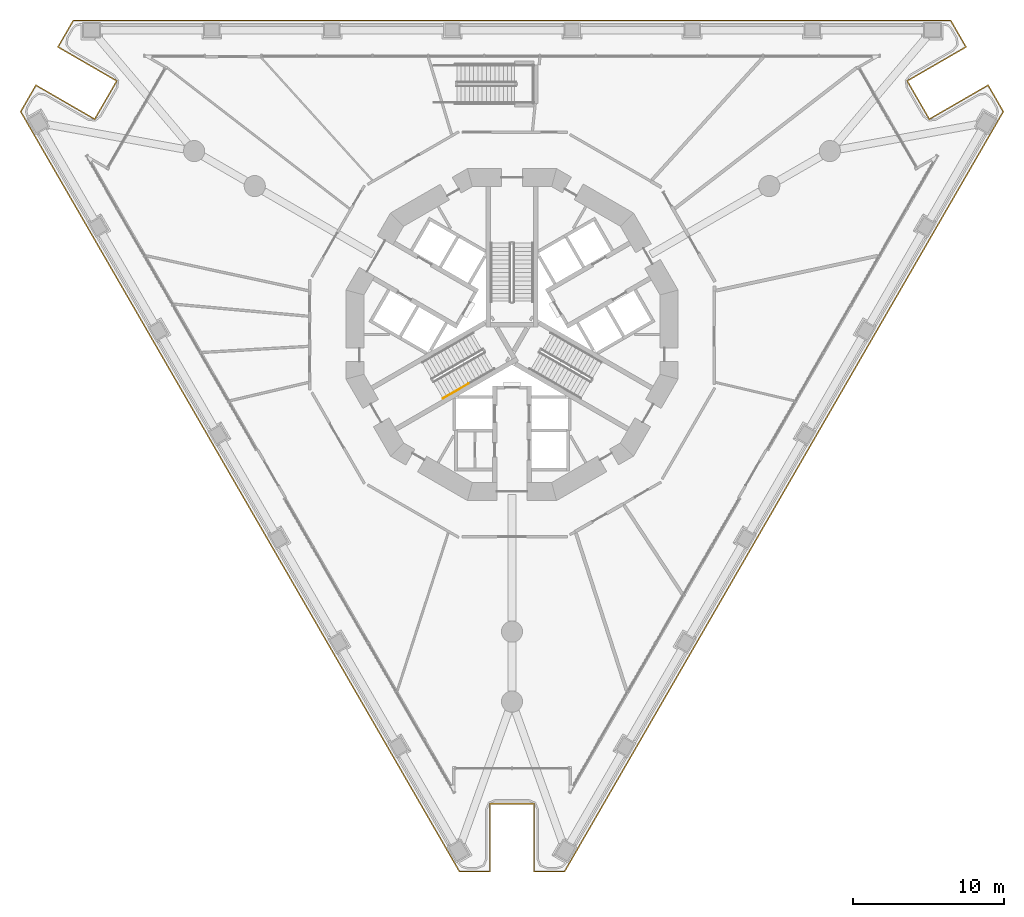
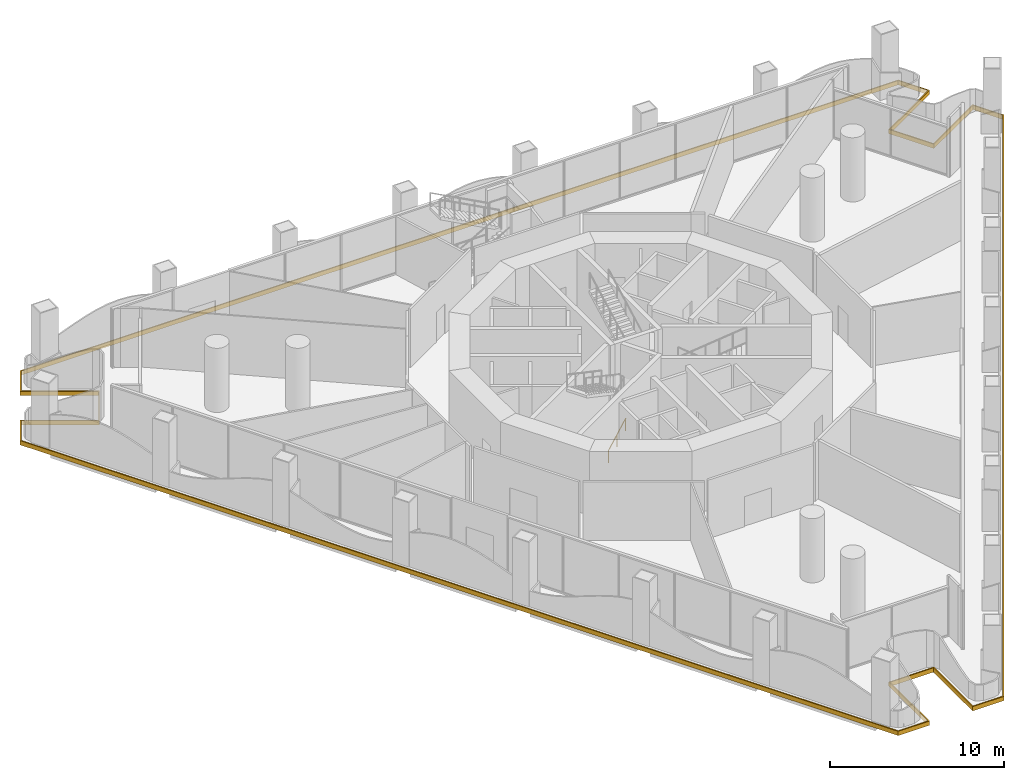
# One storey, part 17 of 23: 1 covering, 1 railing.
"""IFC4 building model written with IfcOpenShell, lengths in metres."""

import ifcopenshell
import ifcopenshell.guid

model = None  # the IFC model being written
_history = None  # IfcOwnerHistory: only IFC2X3 demands one
_inside = {}  # id of a spatial element -> (the spatial element, [elements in it])
_under = {}  # id of a project, library or spatial element -> (it, [spatial elements below it])
_declared = {}  # id of a project -> (the project, [libraries it declares])
_typed = {}  # id of a type object -> (the type object, [elements of that type])
_made_of = {}  # id of a material, layer set ... -> (it, [elements and type objects made of it])


def new_model(schema):
    """Start an empty IFC model of exactly this schema.

    Asked for "IFC4X3", IfcOpenShell would pick the latest addendum, in which some entities
    have other attributes; the version numbers below select the first issue.
    IFC2X3 requires an IfcOwnerHistory on every rooted entity: one is made here for all.
    """
    global model, _history
    if schema == "IFC4X3":
        model = ifcopenshell.file(schema_version=(4, 3, 0, 0))
    else:
        model = ifcopenshell.file(schema=schema)
    _inside.clear()
    _under.clear()
    _declared.clear()
    _typed.clear()
    _made_of.clear()
    _history = None
    if model.schema == "IFC2X3":
        org = make("IfcOrganization", Name="unknown")
        user = make(
            "IfcPersonAndOrganization",
            ThePerson=make("IfcPerson", FamilyName="unknown"),
            TheOrganization=org,
        )
        app = make(
            "IfcApplication",
            ApplicationDeveloper=org,
            Version="unknown",
            ApplicationFullName="unknown",
            ApplicationIdentifier="unknown",
        )
        _history = make(
            "IfcOwnerHistory",
            OwningUser=user,
            OwningApplication=app,
            ChangeAction="ADDED",
            CreationDate=0,
        )
    return model


def make(cls, **values):
    """One entity of the class cls with the attributes given. An attribute that is None is left unset."""
    return model.create_entity(
        cls, **{name: value for name, value in values.items() if value is not None}
    )


def rooted(cls, **values):
    """An entity with a GlobalId (a new one), such as an element, a storey or a relation."""
    return make(cls, GlobalId=ifcopenshell.guid.new(), OwnerHistory=_history, **values)


def si_unit(unit_type, name, prefix=None):
    """IfcSIUnit, for example si_unit("LENGTHUNIT", "METRE", prefix="MILLI")."""
    return make("IfcSIUnit", UnitType=unit_type, Prefix=prefix, Name=name)


def assignment(units):
    """IfcUnitAssignment: the units of a project."""
    return None if units is None else make("IfcUnitAssignment", Units=units)


def point(xyz):
    """IfcCartesianPoint."""
    return None if xyz is None else make("IfcCartesianPoint", Coordinates=xyz)


def direction(xyz):
    """IfcDirection."""
    return None if xyz is None else make("IfcDirection", DirectionRatios=xyz)


def frame(location, z_axis=None, x_axis=None):
    """IfcAxis2Placement3D, a coordinate frame: its origin and axes. An axis left out is left unset."""
    return make(
        "IfcAxis2Placement3D",
        Location=point(location),
        Axis=direction(z_axis),
        RefDirection=direction(x_axis),
    )


def frame_2d(location, x_axis=None):
    """IfcAxis2Placement2D, a coordinate frame in the plane: its origin and x axis."""
    return make(
        "IfcAxis2Placement2D", Location=point(location), RefDirection=direction(x_axis)
    )


def origin():
    """The frame at (0, 0, 0) with its axes left unset."""
    return frame((0.0, 0.0, 0.0))


def origin_2d():
    """The frame at (0, 0) in the plane with its x axis left unset."""
    return frame_2d((0.0, 0.0))


def place(relative_to, where):
    """IfcLocalPlacement: puts the frame where relative to a parent placement (None: the world)."""
    return make(
        "IfcLocalPlacement", PlacementRelTo=relative_to, RelativePlacement=where
    )


def context(
    kind, dimensions, precision=None, world=None, true_north=None, identifier=None
):
    """IfcGeometricRepresentationContext, for example the 3D "Model" context."""
    return make(
        "IfcGeometricRepresentationContext",
        ContextIdentifier=identifier,
        ContextType=kind,
        CoordinateSpaceDimension=dimensions,
        Precision=precision,
        WorldCoordinateSystem=world,
        TrueNorth=true_north,
    )


def subcontext(parent, identifier, kind, view, scale=None):
    """IfcGeometricRepresentationSubContext, for example "Body" below "Model"."""
    return make(
        "IfcGeometricRepresentationSubContext",
        ContextIdentifier=identifier,
        ContextType=kind,
        ParentContext=parent,
        TargetScale=scale,
        TargetView=view,
    )


def project(units=None, contexts=None):
    """IfcProject with its units and contexts."""
    return rooted(
        "IfcProject",
        Name="project",
        RepresentationContexts=contexts,
        UnitsInContext=assignment(units),
    )


def spatial(cls, under=None, at=None, **own):
    """A site, building, storey or space (cls), placed at a placement, below another one or the project."""
    s = rooted(cls, ObjectPlacement=at, **own)
    if under is not None:
        _under.setdefault(under.id(), (under, []))[1].append(s)
    return s


def polyline(points):
    """IfcPolyline through the points."""
    return make("IfcPolyline", Points=[point(p) for p in points])


def profile(cls, at=None, kind="AREA", **sizes):
    """A parametric profile (cls). Its sizes go by their IFC names, for example OverallWidth=200.0."""
    return make(cls, ProfileType=kind, Position=at, **sizes)


def circle(**sizes):
    """IfcCircleProfileDef."""
    return profile("IfcCircleProfileDef", **sizes)


def outline(outer, holes=None, kind="AREA"):
    """IfcArbitraryClosedProfileDef: a profile drawn as a closed curve; with holes, ...WithVoids."""
    if holes is None:
        return make("IfcArbitraryClosedProfileDef", ProfileType=kind, OuterCurve=outer)
    return make(
        "IfcArbitraryProfileDefWithVoids",
        ProfileType=kind,
        OuterCurve=outer,
        InnerCurves=holes,
    )


def extrude(swept, where, along, depth):
    """IfcExtrudedAreaSolid: the profile swept, set in the frame where, extruded along a direction by depth."""
    return make(
        "IfcExtrudedAreaSolid",
        SweptArea=swept,
        Position=where,
        ExtrudedDirection=direction(along),
        Depth=depth,
    )


def shape(context_of_items, identifier, shape_type, items):
    """IfcShapeRepresentation: the items that make up one representation, for example the "Body"."""
    return make(
        "IfcShapeRepresentation",
        ContextOfItems=context_of_items,
        RepresentationIdentifier=identifier,
        RepresentationType=shape_type,
        Items=items,
    )


def material(Name=None, Category=None):
    """IfcMaterial."""
    return make("IfcMaterial", Name=Name, Category=Category)


def layer(
    of_material, thickness, ventilated=None, Name=None, Category=None, Priority=None
):
    """IfcMaterialLayer: one layer of a wall or slab, of a material (None: an air gap)."""
    return make(
        "IfcMaterialLayer",
        Material=of_material,
        LayerThickness=thickness,
        IsVentilated=ventilated,
        Name=Name,
        Category=Category,
        Priority=Priority,
    )


def layer_set(layers, Name=None):
    """IfcMaterialLayerSet."""
    return make("IfcMaterialLayerSet", MaterialLayers=layers, LayerSetName=Name)


def made_of(thing, what):
    """Note that an element or type object is made of a material, layer set ...; save() writes the relation."""
    if what is not None:
        _made_of.setdefault(what.id(), (what, []))[1].append(thing)
    return thing


def type_object(cls, material=None, **own):
    """A type object (cls), such as IfcWallType, which elements share."""
    return made_of(rooted(cls, **own), material)


def element(
    cls,
    number,
    at=None,
    inside=None,
    cuts=None,
    type_object=None,
    material=None,
    context=None,
    identifier="Body",
    shape_type=None,
    held_by="IfcProductDefinitionShape",
    body=None,
    shapes=None,
    **own,
):
    """One element of the class cls, such as IfcWall. Its Tag is "e" and its number.

    at: its placement. inside: the storey or other place that contains it. cuts: it is an
    opening in that element (IfcRelVoidsElement). A single representation is given by context,
    identifier, shape_type and body (its items); several are given by shapes. held_by: the class
    of the entity that holds the representations. save() writes the other relations.
    """
    e = rooted(cls, Tag="e%d" % number, ObjectPlacement=at, **own)
    if body is not None:
        shapes = [shape(context, identifier, shape_type, body)]
    if shapes is not None:
        e.Representation = make(held_by, Representations=shapes)
    if inside is not None:
        _inside.setdefault(inside.id(), (inside, []))[1].append(e)
    if cuts is not None:
        rooted(
            "IfcRelVoidsElement", RelatingBuildingElement=cuts, RelatedOpeningElement=e
        )
    if type_object is not None:
        _typed.setdefault(type_object.id(), (type_object, []))[1].append(e)
    return made_of(e, material)


def aggregate(whole, parts):
    """IfcRelAggregates: a whole, such as a stair, and the parts it consists of."""
    return rooted("IfcRelAggregates", RelatingObject=whole, RelatedObjects=parts)


def save(model, path):
    """Write the relations noted so far, then the file.

    IfcRelAggregates (storeys below a building ...), IfcRelContainedInSpatialStructure (elements
    in a storey), IfcRelDefinesByType, IfcRelAssociatesMaterial and IfcRelDeclares: one each for
    every whole, place, type object, material and project.
    """
    for whole, parts in _under.values():
        aggregate(whole, parts)
    for where, things in _inside.values():
        rooted(
            "IfcRelContainedInSpatialStructure",
            RelatedElements=things,
            RelatingStructure=where,
        )
    for kind, things in _typed.values():
        rooted("IfcRelDefinesByType", RelatedObjects=things, RelatingType=kind)
    for what, things in _made_of.values():
        rooted("IfcRelAssociatesMaterial", RelatedObjects=things, RelatingMaterial=what)
    for by, libraries in _declared.values():
        rooted("IfcRelDeclares", RelatingContext=by, RelatedDefinitions=libraries)
    model.write(path)


model = new_model("IFC4")

# Units and contexts
model_context = context("Model", 3, precision=1e-05, world=origin(), true_north=direction((0.0, 1.0)))
body_context = subcontext(model_context, "Body", "Model", "MODEL_VIEW")
ifc_project = project(units=[si_unit("LENGTHUNIT", "METRE"), si_unit("AREAUNIT", "SQUARE_METRE"), si_unit("VOLUMEUNIT", "CUBIC_METRE"), si_unit("PLANEANGLEUNIT", "RADIAN"), si_unit("MASSUNIT", "GRAM", prefix="KILO")], contexts=[model_context])

# Site, building, storey
site_placement = place(None, origin())
site = spatial("IfcSite", under=ifc_project, at=site_placement, CompositionType="ELEMENT")
building_placement = place(site_placement, origin())
building = spatial("IfcBuilding", under=site, at=building_placement, Name="Trine Commons Tower", CompositionType="ELEMENT")
storey_placement = place(building_placement, frame((0.0, 0.0, 18.0)))
storey = spatial("IfcBuildingStorey", under=building, at=storey_placement, Name="L03", CompositionType="ELEMENT", Elevation=18.0)

# Covering
ifc_material_1 = material(Name="Limestone, honed", Category="masonry")
ifc_layer = layer(ifc_material_1, 0.074951171875)
ifc_layer_set = layer_set([ifc_layer], Name="Limestone, honed")
covering_type = type_object("IfcCoveringType", Name="Limestone spandrel panel 75", PredefinedType="CLADDING", material=ifc_layer_set)
covering_placement = place(storey_placement, frame((0.0, 0.0, -0.300048828125)))
element("IfcCovering", 1, at=covering_placement, inside=storey, type_object=covering_type, Name="Limestone spandrel panel 1-01", PredefinedType="CLADDING", context=body_context, shape_type="SweptSolid", body=[
    extrude(outline(polyline([(81.425048828125, 31.355712890625), (81.425048828125, 26.855712890625), (83.50732421875, 26.855712890625), (112.62255859375, 77.28466796875), (111.581298828125, 79.087890625), (107.68408203125, 76.837890625), (106.25927734375, 79.30615234375), (110.15625, 81.55615234375), (109.114990234375, 83.359619140625), (50.885009765625, 83.359619140625), (49.84375, 81.55615234375), (53.74072265625, 79.30615234375), (52.31591796875, 76.837890625), (48.418701171875, 79.087890625), (47.37744140625, 77.28466796875), (76.49267578125, 26.855712890625), (78.574951171875, 26.855712890625), (78.574951171875, 31.355712890625), (81.425048828125, 31.355712890625)]), holes=[polyline([(111.5537109375, 78.985595703125), (112.535888671875, 77.28466796875), (83.464111328125, 26.930908203125), (81.5, 26.930908203125), (81.5, 31.430908203125), (78.5, 31.430908203125), (78.5, 26.930908203125), (76.535888671875, 26.930908203125), (47.464111328125, 77.28466796875), (48.4462890625, 78.985595703125), (52.34326171875, 76.735595703125), (53.84326171875, 79.33349609375), (49.9462890625, 81.58349609375), (50.92822265625, 83.28466796875), (109.07177734375, 83.28466796875), (110.0537109375, 81.58349609375), (106.15673828125, 79.33349609375), (107.65673828125, 76.735595703125), (111.5537109375, 78.985595703125)])]), origin(), (0.0, 0.0, 1.0), 0.300048828125),
])

# Railing
ifc_material_2 = material(Name="Stainless steel handrail", Category="steel")
railing_type = type_object("IfcRailingType", Name="Stair handrail, steel 900", PredefinedType="HANDRAIL", material=ifc_material_2)
railing_placement = place(storey_placement, frame((75.43017578125, 58.27392578125, 0.14990234375)))
element("IfcRailing", 2, at=railing_placement, inside=storey, type_object=railing_type, Name="L03 ST2A stair handrail 1", PredefinedType="HANDRAIL", context=body_context, shape_type="SweptSolid", body=[
    extrude(circle(Radius=0.02099609375, at=origin_2d()), frame((0.0, 0.0, 0.87890625), z_axis=(0.763397845365, 0.440713210311, 0.472224095054), x_axis=(-0.499970440388, 0.866042469362, 0.0)), (0.0, 0.0, 1.0), 2.2236328125),
    extrude(circle(Radius=0.01513671875, at=origin_2d()), origin(), (0.0, 0.0, 1.0), 0.85791015625),
    extrude(circle(Radius=0.01513671875, at=origin_2d()), frame((0.8486328125, 0.489990234375, 0.52490234375)), (0.0, 0.0, 1.0), 0.85791015625),
    extrude(circle(Radius=0.01513671875, at=origin_2d()), frame((1.697509765625, 0.97998046875, 1.050048828125)), (0.0, 0.0, 1.0), 0.85791015625),
])

save(model, "model.ifc")
